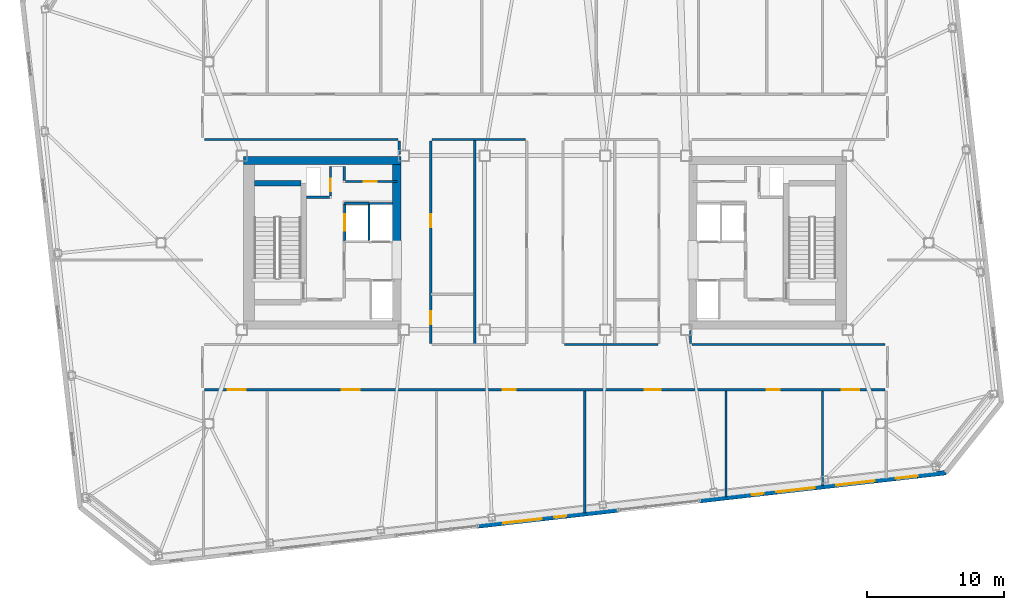
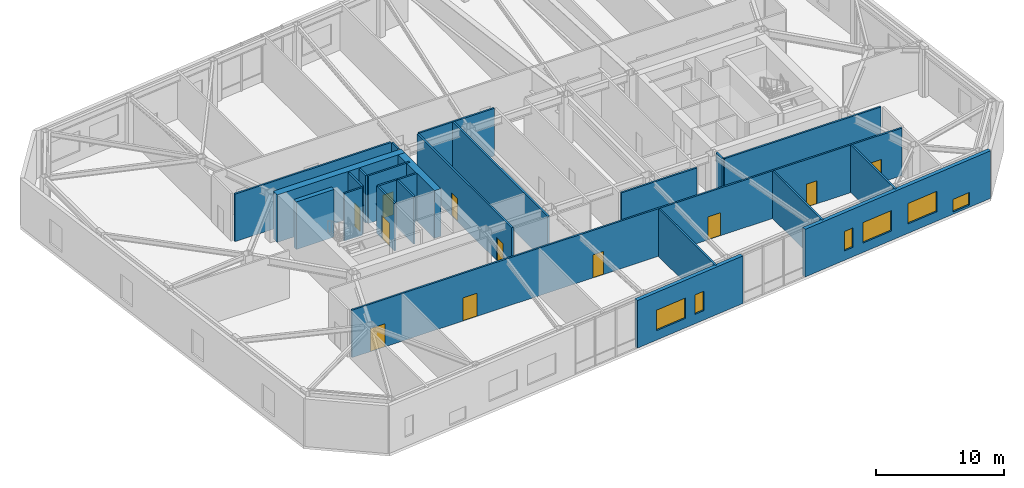
# One storey, part 15 of 21: 25 walls, 11 doors, 6 windows, 17 openings.
"""IFC4 building model written with IfcOpenShell, lengths in metres."""

from ifc_helpers import new_model, si_unit, direction, frame, frame_2d, origin, place, context, subcontext, project, spatial, rectangle, extrude, material, layer, layer_set, type_object, element, fill, save


model = new_model("IFC4")

# Units and contexts
model_context = context("Model", 3, precision=1e-05, world=origin(), true_north=direction((0.0, 1.0)))
body_context = subcontext(model_context, "Body", "Model", "MODEL_VIEW")
ifc_project = project(units=[si_unit("LENGTHUNIT", "METRE"), si_unit("AREAUNIT", "SQUARE_METRE"), si_unit("VOLUMEUNIT", "CUBIC_METRE"), si_unit("PLANEANGLEUNIT", "RADIAN"), si_unit("MASSUNIT", "GRAM", prefix="KILO")], contexts=[model_context])

# Site, building, storey
site_placement = place(None, origin())
site = spatial("IfcSite", under=ifc_project, at=site_placement, CompositionType="ELEMENT")
building_placement = place(site_placement, origin())
building = spatial("IfcBuilding", under=site, at=building_placement, Name="Tavrogorsk Clinical Tower", CompositionType="ELEMENT")
storey_placement = place(building_placement, frame((0.0, 0.0, 238.199951171875)))
storey = spatial("IfcBuildingStorey", under=building, at=storey_placement, Name="L55", CompositionType="ELEMENT", Elevation=238.199951171875)

# Wall, opening, door
ifc_material_1 = material(Name="Lightweight concrete blockwork B15", Category="masonry")
ifc_layer_1 = layer(ifc_material_1, 0.159912109375)
ifc_layer_set_1 = layer_set([ifc_layer_1], Name="Lightweight concrete blockwork B15")
wall_type_1 = type_object("IfcWallType", Name="PartitionWall_160", PredefinedType="PARTITIONING", material=ifc_layer_set_1)
wall_1_placement = place(storey_placement, frame((-14.554931640625, 4.4599609375, 0.0), z_axis=(0.0, 0.0, 1.0), x_axis=(1.0, 0.0, 0.0)))
wall_1 = element("IfcWall", 1, at=wall_1_placement, inside=storey, type_object=wall_type_1, Name="L55 Core West Pneumatic Dispatch South Wall", PredefinedType="PARTITIONING", context=body_context, shape_type="SweptSolid", body=[
    extrude(rectangle(XDim=3.7548828125, YDim=0.159912109375, at=frame_2d((1.87744140625, 0.0))), origin(), (0.0, 0.0, 1.0), 4.5400390625),
])
opening_1_placement = place(wall_1_placement, frame((1.35009765625, 0.0, 0.0)))
opening_1 = element("IfcOpeningElement", 2, at=opening_1_placement, cuts=wall_1, Name="Opening ID-02", PredefinedType="OPENING", context=body_context, shape_type="SweptSolid", body=[
    extrude(rectangle(XDim=0.949951171875, YDim=2.199951171875, at=frame_2d((0.47509765625, 1.10009765625))), frame((0.0, 0.08984375, 0.0), z_axis=(0.0, -1.0, 0.0), x_axis=(1.0, 0.0, 0.0)), (0.0, 0.0, 1.0), 0.179931640625),
])
ifc_material_2 = material(Name="Laminated timber leaf on aluminium frame", Category="wood")
door_type_1 = type_object("IfcDoorType", Name="InteriorDoor_ID02_950", OperationType="NOTDEFINED", PredefinedType="DOOR", material=ifc_material_2)
door_1_placement = place(opening_1_placement, origin())
door_1 = element("IfcDoor", 3, at=door_1_placement, inside=storey, type_object=door_type_1, Name="L55 Core West Pneumatic Dispatch Door", OperationType="SINGLE_SWING_LEFT", OverallHeight=2.199951171875, OverallWidth=0.949951171875, PredefinedType="DOOR", context=body_context, shape_type="SweptSolid", body=[
    extrude(rectangle(XDim=0.949951171875, YDim=2.199951171875, at=frame_2d((0.47509765625, 1.10009765625))), frame((0.0, 0.02490234375, 0.0), z_axis=(0.0, -1.0, 0.0), x_axis=(1.0, 0.0, 0.0)), (0.0, 0.0, 1.0), 0.050048828125),
])
fill(opening_1, door_1)

# Walls
for number, where, z_axis, x_axis, name in (
    (4, (-14.639892578125, 4.544921875, 0.0), (0.0, 0.0, 1.0), (0.0, 1.0, 0.0), "L55 Core West Pneumatic Dispatch East Wall"),
    (5, (-10.6298828125, 6.419921875, 0.0), (0.0, 0.0, 1.0), (0.0, 1.0, 0.0), "L55 Corridor Partition 04"),
):
    element("IfcWall", number, at=place(storey_placement, frame(where, z_axis=z_axis, x_axis=x_axis)), inside=storey, type_object=wall_type_1, Name=name, PredefinedType="PARTITIONING", context=body_context, shape_type="SweptSolid", body=[
        extrude(rectangle(XDim=1.01513671875, YDim=0.159912109375, at=frame_2d((0.507568359375, 0.0))), origin(), (0.0, 0.0, 1.0), 4.5400390625),
    ])
wall_2_placement = place(storey_placement, frame((-10.715087890625, 7.52001953125, 0.0), z_axis=(0.0, 0.0, 1.0), x_axis=(-1.0, 0.0, 0.0)))
element("IfcWall", 6, at=wall_2_placement, inside=storey, type_object=wall_type_1, Name="L55 Corridor Partition 05", PredefinedType="PARTITIONING", context=body_context, shape_type="SweptSolid", body=[
    extrude(rectangle(XDim=14.099853515625, YDim=0.159912109375, at=frame_2d((7.0498046875, 0.0))), origin(), (0.0, 0.0, 1.0), 4.5400390625),
])
wall_3_placement = place(storey_placement, frame((10.6298828125, -6.419921875, 0.0), z_axis=(0.0, 0.0, 1.0), x_axis=(0.0, -1.0, 0.0)))
element("IfcWall", 7, at=wall_3_placement, inside=storey, type_object=wall_type_1, Name="L55 Corridor Partition 11", PredefinedType="PARTITIONING", context=body_context, shape_type="SweptSolid", body=[
    extrude(rectangle(XDim=0.9150390625, YDim=0.159912109375, at=frame_2d((0.45751953125, 0.0))), origin(), (0.0, 0.0, 1.0), 4.5400390625),
])
wall_4_placement = place(storey_placement, frame((10.715087890625, -7.419921875, 0.0), z_axis=(0.0, 0.0, 1.0), x_axis=(1.0, 0.0, 0.0)))
element("IfcWall", 8, at=wall_4_placement, inside=storey, type_object=wall_type_1, Name="L55 Corridor Partition 12", PredefinedType="PARTITIONING", context=body_context, shape_type="SweptSolid", body=[
    extrude(rectangle(XDim=14.099853515625, YDim=0.159912109375, at=frame_2d((7.0498046875, 0.0))), origin(), (0.0, 0.0, 1.0), 4.5400390625),
])

# Wall, openings, doors
wall_5_placement = place(storey_placement, frame((24.81494140625, -10.72998046875, 0.0), z_axis=(0.0, 0.0, 1.0), x_axis=(-1.0, 0.0, 0.0)))
wall_5 = element("IfcWall", 9, at=wall_5_placement, inside=storey, type_object=wall_type_1, Name="L55 Corridor Partition 14", PredefinedType="PARTITIONING", context=body_context, shape_type="SweptSolid", body=[
    extrude(rectangle(XDim=49.6298828125, YDim=0.159912109375, at=frame_2d((24.81494140625, 0.0))), origin(), (0.0, 0.0, 1.0), 4.5400390625),
])
opening_2_placement = place(wall_5_placement, frame((46.630859375, 0.0, 0.0)))
opening_2 = element("IfcOpeningElement", 10, at=opening_2_placement, cuts=wall_5, Name="Opening ID-01", PredefinedType="OPENING", context=body_context, shape_type="SweptSolid", body=[
    extrude(rectangle(XDim=1.300048828125, YDim=2.199951171875, at=frame_2d((0.64990234375, 1.10009765625))), frame((0.0, 0.08984375, 0.0), z_axis=(0.0, -1.0, 0.0), x_axis=(1.0, 0.0, 0.0)), (0.0, 0.0, 1.0), 0.179931640625),
])
opening_3_placement = place(wall_5_placement, frame((38.324951171875, 0.0, 0.0)))
opening_3 = element("IfcOpeningElement", 11, at=opening_3_placement, cuts=wall_5, Name="Opening ID-01", PredefinedType="OPENING", context=body_context, shape_type="SweptSolid", body=[
    extrude(rectangle(XDim=1.300048828125, YDim=2.199951171875, at=frame_2d((0.64990234375, 1.10009765625))), frame((0.0, 0.08984375, 0.0), z_axis=(0.0, -1.0, 0.0), x_axis=(1.0, 0.0, 0.0)), (0.0, 0.0, 1.0), 0.179931640625),
])
opening_4_placement = place(wall_5_placement, frame((26.925048828125, 0.0, 0.0)))
opening_4 = element("IfcOpeningElement", 12, at=opening_4_placement, cuts=wall_5, Name="Opening ID-02", PredefinedType="OPENING", context=body_context, shape_type="SweptSolid", body=[
    extrude(rectangle(XDim=0.949951171875, YDim=2.199951171875, at=frame_2d((0.47509765625, 1.10009765625))), frame((0.0, 0.08984375, 0.0), z_axis=(0.0, -1.0, 0.0), x_axis=(1.0, 0.0, 0.0)), (0.0, 0.0, 1.0), 0.179931640625),
])
opening_5_placement = place(wall_5_placement, frame((16.375, 0.0, 0.0)))
opening_5 = element("IfcOpeningElement", 13, at=opening_5_placement, cuts=wall_5, Name="Opening ID-06", PredefinedType="OPENING", context=body_context, shape_type="SweptSolid", body=[
    extrude(rectangle(XDim=1.14990234375, YDim=2.199951171875, at=frame_2d((0.574951171875, 1.10009765625))), frame((0.0, 0.08984375, 0.0), z_axis=(0.0, -1.0, 0.0), x_axis=(1.0, 0.0, 0.0)), (0.0, 0.0, 1.0), 0.179931640625),
])
opening_6_placement = place(wall_5_placement, frame((7.699951171875, 0.0, 0.0)))
opening_6 = element("IfcOpeningElement", 14, at=opening_6_placement, cuts=wall_5, Name="Opening ID-02", PredefinedType="OPENING", context=body_context, shape_type="SweptSolid", body=[
    extrude(rectangle(XDim=0.949951171875, YDim=2.199951171875, at=frame_2d((0.47509765625, 1.10009765625))), frame((0.0, 0.08984375, 0.0), z_axis=(0.0, -1.0, 0.0), x_axis=(1.0, 0.0, 0.0)), (0.0, 0.0, 1.0), 0.179931640625),
])
opening_7_placement = place(wall_5_placement, frame((1.869140625, 0.0, 0.0)))
opening_7 = element("IfcOpeningElement", 15, at=opening_7_placement, cuts=wall_5, Name="Opening ID-01", PredefinedType="OPENING", context=body_context, shape_type="SweptSolid", body=[
    extrude(rectangle(XDim=1.300048828125, YDim=2.199951171875, at=frame_2d((0.64990234375, 1.10009765625))), frame((0.0, 0.08984375, 0.0), z_axis=(0.0, -1.0, 0.0), x_axis=(1.0, 0.0, 0.0)), (0.0, 0.0, 1.0), 0.179931640625),
])
door_2_placement = place(opening_4_placement, origin())
door_2 = element("IfcDoor", 16, at=door_2_placement, inside=storey, type_object=door_type_1, Name="L55 Sky-Lobby Cafe & Pharmacy Lounge 3 Door", OperationType="SINGLE_SWING_LEFT", OverallHeight=2.199951171875, OverallWidth=0.949951171875, PredefinedType="DOOR", context=body_context, shape_type="SweptSolid", body=[
    extrude(rectangle(XDim=0.949951171875, YDim=2.199951171875, at=frame_2d((0.47509765625, 1.10009765625))), frame((0.0, 0.02490234375, 0.0), z_axis=(0.0, -1.0, 0.0), x_axis=(1.0, 0.0, 0.0)), (0.0, 0.0, 1.0), 0.050048828125),
])
fill(opening_4, door_2)
door_3_placement = place(opening_6_placement, origin())
door_3 = element("IfcDoor", 17, at=door_3_placement, inside=storey, type_object=door_type_1, Name="L55 South Staff Rest & Nourishment Lounge 05 Door", OperationType="SINGLE_SWING_LEFT", OverallHeight=2.199951171875, OverallWidth=0.949951171875, PredefinedType="DOOR", context=body_context, shape_type="SweptSolid", body=[
    extrude(rectangle(XDim=0.949951171875, YDim=2.199951171875, at=frame_2d((0.47509765625, 1.10009765625))), frame((0.0, 0.02490234375, 0.0), z_axis=(0.0, -1.0, 0.0), x_axis=(1.0, 0.0, 0.0)), (0.0, 0.0, 1.0), 0.050048828125),
])
fill(opening_6, door_3)
ifc_material_3 = material(Name="Antibacterial HPL procedure door on aluminium frame", Category="aluminium")
door_type_2 = type_object("IfcDoorType", Name="LabDoor_ID06_1150", OperationType="NOTDEFINED", PredefinedType="DOOR", material=ifc_material_3)
door_4_placement = place(opening_5_placement, origin())
door_4 = element("IfcDoor", 18, at=door_4_placement, inside=storey, type_object=door_type_2, Name="L55 Sky-Lobby Cafe & Pharmacy Lounge 4 Door", OperationType="SINGLE_SWING_RIGHT", OverallHeight=2.199951171875, OverallWidth=1.14990234375, PredefinedType="DOOR", context=body_context, shape_type="SweptSolid", body=[
    extrude(rectangle(XDim=1.14990234375, YDim=2.199951171875, at=frame_2d((0.574951171875, 1.10009765625))), frame((0.0, 0.02490234375, 0.0), z_axis=(0.0, -1.0, 0.0), x_axis=(1.0, 0.0, 0.0)), (0.0, 0.0, 1.0), 0.050048828125),
])
fill(opening_5, door_4)
ifc_material_4 = material(Name="Antibacterial HPL medical leaf on aluminium frame", Category="aluminium")
door_type_3 = type_object("IfcDoorType", Name="WardBedDoor_ID01_1300", OperationType="NOTDEFINED", PredefinedType="DOOR", material=ifc_material_4)
door_5_placement = place(opening_2_placement, origin())
door_5 = element("IfcDoor", 19, at=door_5_placement, inside=storey, type_object=door_type_3, Name="L55 South Bariatric Observation Ward 01 Door", OperationType="SINGLE_SWING_LEFT", OverallHeight=2.199951171875, OverallWidth=1.300048828125, PredefinedType="DOOR", context=body_context, shape_type="SweptSolid", body=[
    extrude(rectangle(XDim=1.300048828125, YDim=2.199951171875, at=frame_2d((0.64990234375, 1.10009765625))), frame((0.0, 0.02490234375, 0.0), z_axis=(0.0, -1.0, 0.0), x_axis=(1.0, 0.0, 0.0)), (0.0, 0.0, 1.0), 0.050048828125),
])
fill(opening_2, door_5)
door_6_placement = place(opening_3_placement, origin())
door_6 = element("IfcDoor", 20, at=door_6_placement, inside=storey, type_object=door_type_3, Name="L55 South Surgical Step-Down Ward 02 Door", OperationType="SINGLE_SWING_RIGHT", OverallHeight=2.199951171875, OverallWidth=1.300048828125, PredefinedType="DOOR", context=body_context, shape_type="SweptSolid", body=[
    extrude(rectangle(XDim=1.300048828125, YDim=2.199951171875, at=frame_2d((0.64990234375, 1.10009765625))), frame((0.0, 0.02490234375, 0.0), z_axis=(0.0, -1.0, 0.0), x_axis=(1.0, 0.0, 0.0)), (0.0, 0.0, 1.0), 0.050048828125),
])
fill(opening_3, door_6)
door_7_placement = place(opening_7_placement, origin())
door_7 = element("IfcDoor", 21, at=door_7_placement, inside=storey, type_object=door_type_3, Name="L55 South Bariatric Observation Ward 06 Door", OperationType="SINGLE_SWING_RIGHT", OverallHeight=2.199951171875, OverallWidth=1.300048828125, PredefinedType="DOOR", context=body_context, shape_type="SweptSolid", body=[
    extrude(rectangle(XDim=1.300048828125, YDim=2.199951171875, at=frame_2d((0.64990234375, 1.10009765625))), frame((0.0, 0.02490234375, 0.0), z_axis=(0.0, -1.0, 0.0), x_axis=(1.0, 0.0, 0.0)), (0.0, 0.0, 1.0), 0.050048828125),
])
fill(opening_7, door_7)

# Walls
for number, where, z_axis, x_axis, name in (
    (22, (1.4150390625, -7.419921875, 0.0), (0.0, 0.0, 1.0), (1.0, 0.0, 0.0), "L55 Corridor Partition 17"),
    (23, (-1.4150390625, 7.52001953125, 0.0), (0.0, 0.0, 1.0), (-1.0, 0.0, 0.0), "L55 Corridor Partition 20"),
):
    element("IfcWall", number, at=place(storey_placement, frame(where, z_axis=z_axis, x_axis=x_axis)), inside=storey, type_object=wall_type_1, Name=name, PredefinedType="PARTITIONING", context=body_context, shape_type="SweptSolid", body=[
        extrude(rectangle(XDim=6.820068359375, YDim=0.159912109375, at=frame_2d((3.41015625, 0.0))), origin(), (0.0, 0.0, 1.0), 4.5400390625),
    ])

# Wall, openings, doors
wall_6_placement = place(storey_placement, frame((-8.320068359375, 7.43505859375, 0.0), z_axis=(0.0, 0.0, 1.0), x_axis=(0.0, -1.0, 0.0)))
wall_6 = element("IfcWall", 24, at=wall_6_placement, inside=storey, type_object=wall_type_1, Name="L55 Corridor Partition 21", PredefinedType="PARTITIONING", context=body_context, shape_type="SweptSolid", body=[
    extrude(rectangle(XDim=14.77001953125, YDim=0.159912109375, at=frame_2d((7.385009765625, 0.0))), origin(), (0.0, 0.0, 1.0), 4.5400390625),
])
opening_8_placement = place(wall_6_placement, frame((12.435791015625, 0.0, 0.0)))
opening_8 = element("IfcOpeningElement", 25, at=opening_8_placement, cuts=wall_6, Name="Opening ID-02", PredefinedType="OPENING", context=body_context, shape_type="SweptSolid", body=[
    extrude(rectangle(XDim=0.949951171875, YDim=2.199951171875, at=frame_2d((0.47509765625, 1.10009765625))), frame((0.0, 0.08984375, 0.0), z_axis=(0.0, -1.0, 0.0), x_axis=(1.0, 0.0, 0.0)), (0.0, 0.0, 1.0), 0.179931640625),
])
opening_9_placement = place(wall_6_placement, frame((5.35400390625, 0.0, 0.0)))
opening_9 = element("IfcOpeningElement", 26, at=opening_9_placement, cuts=wall_6, Name="Opening ID-02", PredefinedType="OPENING", context=body_context, shape_type="SweptSolid", body=[
    extrude(rectangle(XDim=0.949951171875, YDim=2.199951171875, at=frame_2d((0.47509765625, 1.10009765625))), frame((0.0, 0.08984375, 0.0), z_axis=(0.0, -1.0, 0.0), x_axis=(1.0, 0.0, 0.0)), (0.0, 0.0, 1.0), 0.179931640625),
])
door_8_placement = place(opening_8_placement, origin())
door_8 = element("IfcDoor", 27, at=door_8_placement, inside=storey, type_object=door_type_1, Name="L55 Accessible Patient Lavatory Door", OperationType="SINGLE_SWING_LEFT", OverallHeight=2.199951171875, OverallWidth=0.949951171875, PredefinedType="DOOR", context=body_context, shape_type="SweptSolid", body=[
    extrude(rectangle(XDim=0.949951171875, YDim=2.199951171875, at=frame_2d((0.47509765625, 1.10009765625))), frame((0.0, 0.02490234375, 0.0), z_axis=(0.0, -1.0, 0.0), x_axis=(1.0, 0.0, 0.0)), (0.0, 0.0, 1.0), 0.050048828125),
])
fill(opening_8, door_8)
door_9_placement = place(opening_9_placement, origin())
door_9 = element("IfcDoor", 28, at=door_9_placement, inside=storey, type_object=door_type_1, Name="L55 Ward Nourishment Pantry Door", OperationType="SINGLE_SWING_RIGHT", OverallHeight=2.199951171875, OverallWidth=0.949951171875, PredefinedType="DOOR", context=body_context, shape_type="SweptSolid", body=[
    extrude(rectangle(XDim=0.949951171875, YDim=2.199951171875, at=frame_2d((0.47509765625, 1.10009765625))), frame((0.0, 0.02490234375, 0.0), z_axis=(0.0, -1.0, 0.0), x_axis=(1.0, 0.0, 0.0)), (0.0, 0.0, 1.0), 0.050048828125),
])
fill(opening_9, door_9)

# Walls
wall_7_placement = place(storey_placement, frame((2.89990234375, -19.7060546875, 0.0), z_axis=(0.0, 0.0, 1.0), x_axis=(0.0, 1.0, 0.0)))
element("IfcWall", 29, at=wall_7_placement, inside=storey, type_object=wall_type_1, Name="L55 South Room Partition 3", PredefinedType="PARTITIONING", context=body_context, shape_type="SweptSolid", body=[
    extrude(rectangle(XDim=8.89111328125, YDim=0.159912109375, at=frame_2d((4.445556640625, 0.0))), origin(), (0.0, 0.0, 1.0), 4.5400390625),
])
wall_8_placement = place(storey_placement, frame((13.199951171875, -18.532470703125, 0.0), z_axis=(0.0, 0.0, 1.0), x_axis=(0.0, 1.0, 0.0)))
element("IfcWall", 30, at=wall_8_placement, inside=storey, type_object=wall_type_1, Name="L55 South Room Partition 4", PredefinedType="PARTITIONING", context=body_context, shape_type="SweptSolid", body=[
    extrude(rectangle(XDim=7.717529296875, YDim=0.159912109375, at=frame_2d((3.85888671875, 0.0))), origin(), (0.0, 0.0, 1.0), 4.5400390625),
])
wall_9_placement = place(storey_placement, frame((20.25, -17.729248046875, 0.0), z_axis=(0.0, 0.0, 1.0), x_axis=(0.0, 1.0, 0.0)))
element("IfcWall", 31, at=wall_9_placement, inside=storey, type_object=wall_type_1, Name="L55 South Room Partition 5", PredefinedType="PARTITIONING", context=body_context, shape_type="SweptSolid", body=[
    extrude(rectangle(XDim=6.914306640625, YDim=0.159912109375, at=frame_2d((3.45703125, 0.0))), origin(), (0.0, 0.0, 1.0), 4.5400390625),
])
ifc_material_5 = material(Name="Lightweight concrete blockwork B20", Category="masonry")
ifc_layer_2 = layer(ifc_material_5, 0.179931640625)
ifc_layer_set_2 = layer_set([ifc_layer_2], Name="Lightweight concrete blockwork B20")
wall_type_2 = type_object("IfcWallType", Name="PartitionWall_180", PredefinedType="PARTITIONING", material=ifc_layer_set_2)
wall_10_placement = place(storey_placement, frame((-5.10009765625, -7.4150390625, 0.0), z_axis=(0.0, 0.0, 1.0), x_axis=(0.0, 1.0, 0.0)))
element("IfcWall", 32, at=wall_10_placement, inside=storey, type_object=wall_type_2, Name="L55 Central Spine Partition 1", PredefinedType="PARTITIONING", context=body_context, shape_type="SweptSolid", body=[
    extrude(rectangle(XDim=14.929931640625, YDim=0.179931640625, at=frame_2d((7.46484375, 0.0))), origin(), (0.0, 0.0, 1.0), 4.5400390625),
])

# Wall, openings, windows
ifc_material_6 = material(Name="Precast concrete B45 with limestone cladding", Category="masonry")
ifc_layer_3 = layer(ifc_material_6, 0.340087890625)
ifc_layer_set_3 = layer_set([ifc_layer_3], Name="Precast concrete B45 with limestone cladding")
wall_type_3 = type_object("IfcWallType", Name="PrecastLimestoneWall_340", PredefinedType="STANDARD", material=ifc_layer_set_3)
wall_11_placement = place(storey_placement, frame((-4.862060546875, -20.660888671875, 0.0), z_axis=(0.0, 0.0, 1.0), x_axis=(0.993570162731, 0.113218071575, 0.0)))
wall_11 = element("IfcWall", 33, at=wall_11_placement, inside=storey, type_object=wall_type_3, Name="L55 S Limestone Facade Wall 2", PredefinedType="STANDARD", context=body_context, shape_type="SweptSolid", body=[
    extrude(rectangle(XDim=10.249267578125, YDim=0.340087890625, at=frame_2d((5.12451171875, 0.0))), origin(), (0.0, 0.0, 1.0), 4.5400390625),
])
opening_10_placement = place(wall_11_placement, frame((1.850341796875, 0.0, 0.89990234375)))
opening_10 = element("IfcOpeningElement", 34, at=opening_10_placement, cuts=wall_11, Name="Opening WN-14", PredefinedType="OPENING", context=body_context, shape_type="SweptSolid", body=[
    extrude(rectangle(XDim=2.800048828125, YDim=1.949951171875, at=frame_2d((1.39990234375, 0.97509765625))), frame((0.0, 0.179931640625, 0.0), z_axis=(0.0, -1.0, 0.0), x_axis=(1.0, 0.0, 0.0)), (0.0, 0.0, 1.0), 0.360107421875),
])
opening_11_placement = place(wall_11_placement, frame((5.598876953125, 0.0, 0.89990234375)))
opening_11 = element("IfcOpeningElement", 35, at=opening_11_placement, cuts=wall_11, Name="Opening WN-06", PredefinedType="OPENING", context=body_context, shape_type="SweptSolid", body=[
    extrude(rectangle(XDim=0.85009765625, YDim=1.85009765625, at=frame_2d((0.425048828125, 0.925048828125))), frame((0.0, 0.179931640625, 0.0), z_axis=(0.0, -1.0, 0.0), x_axis=(1.0, 0.0, 0.0)), (0.0, 0.0, 1.0), 0.360107421875),
])
ifc_material_7 = material(Name="Thermally broken aluminium frame and triple IGU", Category="aluminium")
window_type_1 = type_object("IfcWindowType", Name="MullionSubWin_850x1850", PartitioningType="SINGLE_PANEL", PredefinedType="WINDOW", material=ifc_material_7)
window_1_placement = place(opening_11_placement, origin())
window_1 = element("IfcWindow", 36, at=window_1_placement, inside=storey, type_object=window_type_1, Name="L55 S Mullion Split Window 06A", OverallHeight=1.85009765625, OverallWidth=0.85009765625, PartitioningType="SINGLE_PANEL", PredefinedType="WINDOW", context=body_context, shape_type="SweptSolid", body=[
    extrude(rectangle(XDim=0.85009765625, YDim=1.85009765625, at=frame_2d((0.425048828125, 0.925048828125))), frame((0.0, 0.030029296875, 0.0), z_axis=(0.0, -1.0, 0.0), x_axis=(1.0, 0.0, 0.0)), (0.0, 0.0, 1.0), 0.06005859375),
])
fill(opening_11, window_1)
ifc_material_8 = material(Name="Thermally broken aluminium frame and triple IGU", Category="aluminium")
window_type_2 = type_object("IfcWindowType", Name="SeminarWin_2800x1950", PartitioningType="TRIPLE_PANEL_HORIZONTAL", PredefinedType="WINDOW", material=ifc_material_8)
window_2_placement = place(opening_10_placement, origin())
window_2 = element("IfcWindow", 37, at=window_2_placement, inside=storey, type_object=window_type_2, Name="L55 S Chicago Window 05", OverallHeight=1.949951171875, OverallWidth=2.800048828125, PartitioningType="SINGLE_PANEL", PredefinedType="WINDOW", context=body_context, shape_type="SweptSolid", body=[
    extrude(rectangle(XDim=2.800048828125, YDim=1.949951171875, at=frame_2d((1.39990234375, 0.97509765625))), frame((0.0, 0.030029296875, 0.0), z_axis=(0.0, -1.0, 0.0), x_axis=(1.0, 0.0, 0.0)), (0.0, 0.0, 1.0), 0.06005859375),
])
fill(opening_10, window_2)

wall_12_placement = place(storey_placement, frame((11.33056640625, -18.81591796875, 0.0), z_axis=(0.0, 0.0, 1.0), x_axis=(0.993571681878, 0.113204739165, 0.0)))
wall_12 = element("IfcWall", 38, at=wall_12_placement, inside=storey, type_object=wall_type_3, Name="L55 S Limestone Facade Wall 3", PredefinedType="STANDARD", context=body_context, shape_type="SweptSolid", body=[
    extrude(rectangle(XDim=18.02734375, YDim=0.340087890625, at=frame_2d((9.013671875, 0.0))), origin(), (0.0, 0.0, 1.0), 4.5400390625),
])
opening_12_placement = place(wall_12_placement, frame((3.80029296875, 0.0, 0.89990234375)))
opening_12 = element("IfcOpeningElement", 39, at=opening_12_placement, cuts=wall_12, Name="Opening WN-06", PredefinedType="OPENING", context=body_context, shape_type="SweptSolid", body=[
    extrude(rectangle(XDim=0.85009765625, YDim=1.85009765625, at=frame_2d((0.425048828125, 0.925048828125))), frame((0.0, 0.179931640625, 0.0), z_axis=(0.0, -1.0, 0.0), x_axis=(1.0, 0.0, 0.0)), (0.0, 0.0, 1.0), 0.360107421875),
])
opening_13_placement = place(wall_12_placement, frame((5.5986328125, 0.0, 0.89990234375)))
opening_13 = element("IfcOpeningElement", 40, at=opening_13_placement, cuts=wall_12, Name="Opening WN-14", PredefinedType="OPENING", context=body_context, shape_type="SweptSolid", body=[
    extrude(rectangle(XDim=2.800048828125, YDim=1.949951171875, at=frame_2d((1.39990234375, 0.97509765625))), frame((0.0, 0.179931640625, 0.0), z_axis=(0.0, -1.0, 0.0), x_axis=(1.0, 0.0, 0.0)), (0.0, 0.0, 1.0), 0.360107421875),
])
opening_14_placement = place(wall_12_placement, frame((9.998779296875, 0.0, 0.89990234375)))
opening_14 = element("IfcOpeningElement", 41, at=opening_14_placement, cuts=wall_12, Name="Opening WN-14", PredefinedType="OPENING", context=body_context, shape_type="SweptSolid", body=[
    extrude(rectangle(XDim=2.800048828125, YDim=1.949951171875, at=frame_2d((1.39990234375, 0.97509765625))), frame((0.0, 0.179931640625, 0.0), z_axis=(0.0, -1.0, 0.0), x_axis=(1.0, 0.0, 0.0)), (0.0, 0.0, 1.0), 0.360107421875),
])
opening_15_placement = place(wall_12_placement, frame((14.34716796875, 0.0, 0.219970703125)))
opening_15 = element("IfcOpeningElement", 42, at=opening_15_placement, cuts=wall_12, Name="Opening WN-09", PredefinedType="OPENING", context=body_context, shape_type="SweptSolid", body=[
    extrude(rectangle(XDim=1.60009765625, YDim=1.199951171875, at=frame_2d((0.800048828125, 0.60009765625))), frame((0.0, 0.179931640625, 0.0), z_axis=(0.0, -1.0, 0.0), x_axis=(1.0, 0.0, 0.0)), (0.0, 0.0, 1.0), 0.360107421875),
])
ifc_material_9 = material(Name="Thermally broken aluminium frame and triple IGU", Category="aluminium")
window_type_3 = type_object("IfcWindowType", Name="LowHeadTransWin_1600x1200", PartitioningType="DOUBLE_PANEL_VERTICAL", PredefinedType="WINDOW", material=ifc_material_9)
window_3_placement = place(opening_15_placement, origin())
window_3 = element("IfcWindow", 43, at=window_3_placement, inside=storey, type_object=window_type_3, Name="L55 S Chicago Window 10", OverallHeight=1.199951171875, OverallWidth=1.60009765625, PartitioningType="SINGLE_PANEL", PredefinedType="WINDOW", context=body_context, shape_type="SweptSolid", body=[
    extrude(rectangle(XDim=1.60009765625, YDim=1.199951171875, at=frame_2d((0.800048828125, 0.60009765625))), frame((0.0, 0.030029296875, 0.0), z_axis=(0.0, -1.0, 0.0), x_axis=(1.0, 0.0, 0.0)), (0.0, 0.0, 1.0), 0.06005859375),
])
fill(opening_15, window_3)
window_4_placement = place(opening_12_placement, origin())
window_4 = element("IfcWindow", 44, at=window_4_placement, inside=storey, type_object=window_type_1, Name="L55 S Mullion Split Window 07B", OverallHeight=1.85009765625, OverallWidth=0.85009765625, PartitioningType="SINGLE_PANEL", PredefinedType="WINDOW", context=body_context, shape_type="SweptSolid", body=[
    extrude(rectangle(XDim=0.85009765625, YDim=1.85009765625, at=frame_2d((0.425048828125, 0.925048828125))), frame((0.0, 0.030029296875, 0.0), z_axis=(0.0, -1.0, 0.0), x_axis=(1.0, 0.0, 0.0)), (0.0, 0.0, 1.0), 0.06005859375),
])
fill(opening_12, window_4)
window_5_placement = place(opening_13_placement, origin())
window_5 = element("IfcWindow", 45, at=window_5_placement, inside=storey, type_object=window_type_2, Name="L55 S Chicago Window 08", OverallHeight=1.949951171875, OverallWidth=2.800048828125, PartitioningType="SINGLE_PANEL", PredefinedType="WINDOW", context=body_context, shape_type="SweptSolid", body=[
    extrude(rectangle(XDim=2.800048828125, YDim=1.949951171875, at=frame_2d((1.39990234375, 0.97509765625))), frame((0.0, 0.030029296875, 0.0), z_axis=(0.0, -1.0, 0.0), x_axis=(1.0, 0.0, 0.0)), (0.0, 0.0, 1.0), 0.06005859375),
])
fill(opening_13, window_5)
window_6_placement = place(opening_14_placement, origin())
window_6 = element("IfcWindow", 46, at=window_6_placement, inside=storey, type_object=window_type_2, Name="L55 S Chicago Window 09", OverallHeight=1.949951171875, OverallWidth=2.800048828125, PartitioningType="SINGLE_PANEL", PredefinedType="WINDOW", context=body_context, shape_type="SweptSolid", body=[
    extrude(rectangle(XDim=2.800048828125, YDim=1.949951171875, at=frame_2d((1.39990234375, 0.97509765625))), frame((0.0, 0.030029296875, 0.0), z_axis=(0.0, -1.0, 0.0), x_axis=(1.0, 0.0, 0.0)), (0.0, 0.0, 1.0), 0.06005859375),
])
fill(opening_14, window_6)

# Wall, opening, door
ifc_material_10 = material(Name="Lightweight concrete blockwork B25", Category="masonry")
ifc_layer_4 = layer(ifc_material_10, 0.159912109375)
ifc_layer_set_4 = layer_set([ifc_layer_4], Name="Lightweight concrete blockwork B25")
wall_type_4 = type_object("IfcWallType", Name="ShaftWall_160", PredefinedType="PARTITIONING", material=ifc_layer_set_4)
wall_13_placement = place(storey_placement, frame((-14.60009765625, 0.1201171875, 0.0), z_axis=(0.0, 0.0, 1.0), x_axis=(0.0, 1.0, 0.0)))
wall_13 = element("IfcWall", 47, at=wall_13_placement, inside=storey, type_object=wall_type_4, Name="L55 FFL-W Firefighting Lift Front Wall", PredefinedType="PARTITIONING", context=body_context, shape_type="SweptSolid", body=[
    extrude(rectangle(XDim=2.739990234375, YDim=0.159912109375, at=frame_2d((1.3701171875, 0.0))), origin(), (0.0, 0.0, 1.0), 4.5400390625),
])
opening_16_placement = place(wall_13_placement, frame((0.77001953125, 0.0, 0.0)))
opening_16 = element("IfcOpeningElement", 48, at=opening_16_placement, cuts=wall_13, Name="Opening LD", PredefinedType="OPENING", context=body_context, shape_type="SweptSolid", body=[
    extrude(rectangle(XDim=1.199951171875, YDim=2.199951171875, at=frame_2d((0.60009765625, 1.10009765625))), frame((0.0, 0.08984375, 0.0), z_axis=(0.0, -1.0, 0.0), x_axis=(1.0, 0.0, 0.0)), (0.0, 0.0, 1.0), 0.179931640625),
])
ifc_material_11 = material(Name="Brushed stainless steel AISI 304 sliding doors", Category="steel")
door_type_4 = type_object("IfcDoorType", Name="LiftLandingDoor_LD_1200", OperationType="SLIDING_TO_LEFT", PredefinedType="DOOR", material=ifc_material_11)
door_10_placement = place(opening_16_placement, origin())
door_10 = element("IfcDoor", 49, at=door_10_placement, inside=storey, type_object=door_type_4, Name="L55 FFL-W Sliding Lift Landing Door", OperationType="SLIDING_TO_LEFT", OverallHeight=2.199951171875, OverallWidth=1.199951171875, PredefinedType="DOOR", context=body_context, shape_type="SweptSolid", body=[
    extrude(rectangle(XDim=1.199951171875, YDim=2.199951171875, at=frame_2d((0.60009765625, 1.10009765625))), frame((0.0, 0.02490234375, 0.0), z_axis=(0.0, -1.0, 0.0), x_axis=(1.0, 0.0, 0.0)), (0.0, 0.0, 1.0), 0.050048828125),
])
fill(opening_16, door_10)

# Walls
wall_14_placement = place(storey_placement, frame((-14.60009765625, 2.8798828125, 0.0), z_axis=(0.0, 0.0, 1.0), x_axis=(1.0, 0.0, 0.0)))
element("IfcWall", 50, at=wall_14_placement, inside=storey, type_object=wall_type_4, Name="L55 FFL-W Shaft North Wall", PredefinedType="PARTITIONING", context=body_context, shape_type="SweptSolid", body=[
    extrude(rectangle(XDim=1.760009765625, YDim=0.159912109375, at=frame_2d((0.8798828125, 0.0))), origin(), (0.0, 0.0, 1.0), 4.5400390625),
])
wall_15_placement = place(storey_placement, frame((-12.840087890625, 0.179931640625, 0.0), z_axis=(0.0, 0.0, 1.0), x_axis=(0.0, 1.0, 0.0)))
element("IfcWall", 51, at=wall_15_placement, inside=storey, type_object=wall_type_4, Name="L55 FFL-W Shaft Back Wall", PredefinedType="PARTITIONING", context=body_context, shape_type="SweptSolid", body=[
    extrude(rectangle(XDim=2.6201171875, YDim=0.159912109375, at=frame_2d((1.31005859375, 0.0))), origin(), (0.0, 0.0, 1.0), 4.5400390625),
])
wall_16_placement = place(storey_placement, frame((-12.820068359375, 2.860107421875, 0.0), z_axis=(0.0, 0.0, 1.0), x_axis=(1.0, 0.0, 0.0)))
element("IfcWall", 52, at=wall_16_placement, inside=storey, type_object=wall_type_4, Name="L55 LP-H1 High-Zone Lift Rear Wall", PredefinedType="PARTITIONING", context=body_context, shape_type="SweptSolid", body=[
    extrude(rectangle(XDim=1.719970703125, YDim=0.159912109375, at=frame_2d((0.85986328125, 0.0))), origin(), (0.0, 0.0, 1.0), 4.5400390625),
])

# Wall, opening, door
wall_17_placement = place(storey_placement, frame((-15.639892578125, 3.405029296875, 0.0), z_axis=(0.0, 0.0, 1.0), x_axis=(0.0, 1.0, 0.0)))
wall_17 = element("IfcWall", 53, at=wall_17_placement, inside=storey, type_object=wall_type_4, Name="L55 Core West Riser West Wall", PredefinedType="PARTITIONING", context=body_context, shape_type="SweptSolid", body=[
    extrude(rectangle(XDim=2.155029296875, YDim=0.159912109375, at=frame_2d((1.07763671875, 0.0))), origin(), (0.0, 0.0, 1.0), 4.5400390625),
])
opening_17_placement = place(wall_17_placement, frame((0.35009765625, 0.0, 0.0)))
opening_17 = element("IfcOpeningElement", 54, at=opening_17_placement, cuts=wall_17, Name="Opening FD-02", PredefinedType="OPENING", context=body_context, shape_type="SweptSolid", body=[
    extrude(rectangle(XDim=0.89990234375, YDim=2.199951171875, at=frame_2d((0.449951171875, 1.10009765625))), frame((0.0, 0.08984375, 0.0), z_axis=(0.0, -1.0, 0.0), x_axis=(1.0, 0.0, 0.0)), (0.0, 0.0, 1.0), 0.179931640625),
])
ifc_material_12 = material(Name="Galvanised steel fire-rated door assembly", Category="steel")
door_type_5 = type_object("IfcDoorType", Name="FireDoor_FD02_900", OperationType="NOTDEFINED", PredefinedType="DOOR", material=ifc_material_12)
door_11_placement = place(opening_17_placement, origin())
door_11 = element("IfcDoor", 55, at=door_11_placement, inside=storey, type_object=door_type_5, Name="L55 Core West Electrical Riser Access Door", OperationType="SINGLE_SWING_LEFT", OverallHeight=2.199951171875, OverallWidth=0.89990234375, PredefinedType="DOOR", context=body_context, shape_type="SweptSolid", body=[
    extrude(rectangle(XDim=0.89990234375, YDim=2.199951171875, at=frame_2d((0.449951171875, 1.10009765625))), frame((0.0, 0.02490234375, 0.0), z_axis=(0.0, -1.0, 0.0), x_axis=(1.0, 0.0, 0.0)), (0.0, 0.0, 1.0), 0.050048828125),
])
fill(opening_17, door_11)

# Walls
wall_18_placement = place(storey_placement, frame((-17.3798828125, 3.320068359375, 0.0), z_axis=(0.0, 0.0, 1.0), x_axis=(1.0, 0.0, 0.0)))
element("IfcWall", 56, at=wall_18_placement, inside=storey, type_object=wall_type_4, Name="L55 Core West Riser South Wall", PredefinedType="PARTITIONING", context=body_context, shape_type="SweptSolid", body=[
    extrude(rectangle(XDim=1.65478515625, YDim=0.159912109375, at=frame_2d((0.827392578125, 0.0))), origin(), (0.0, 0.0, 1.0), 4.5400390625),
])
ifc_material_13 = material(Name="Concrete B80", Category="concrete")
ifc_layer_5 = layer(ifc_material_13, 0.39990234375)
ifc_layer_set_5 = layer_set([ifc_layer_5], Name="Concrete B80")
wall_type_5 = type_object("IfcWallType", Name="ShearWall_400", PredefinedType="SHEAR", material=ifc_layer_set_5)
wall_19_placement = place(storey_placement, frame((-21.199951171875, 4.324951171875, 0.0), z_axis=(0.0, 0.0, 1.0), x_axis=(1.0, 0.0, 0.0)))
element("IfcWall", 57, at=wall_19_placement, inside=storey, type_object=wall_type_5, Name="L55 Core West Stair Shaft North Shear Wall", PredefinedType="SHEAR", context=body_context, shape_type="SweptSolid", body=[
    extrude(rectangle(XDim=3.39990234375, YDim=0.39990234375, at=frame_2d((1.699951171875, 0.0))), origin(), (0.0, 0.0, 1.0), 4.5400390625),
])
ifc_material_14 = material(Name="Concrete B80", Category="concrete")
ifc_layer_6 = layer(ifc_material_14, 0.60009765625)
ifc_layer_set_6 = layer_set([ifc_layer_6], Name="Concrete B80")
wall_type_6 = type_object("IfcWallType", Name="ShearWall_600", PredefinedType="SHEAR", material=ifc_layer_set_6)
wall_20_placement = place(storey_placement, frame((-22.0, 6.0, 0.0), z_axis=(0.0, 0.0, 1.0), x_axis=(1.0, 0.0, 0.0)))
element("IfcWall", 58, at=wall_20_placement, inside=storey, type_object=wall_type_6, Name="L55 Core West North Shear Wall", PredefinedType="SHEAR", context=body_context, shape_type="SweptSolid", body=[
    extrude(rectangle(XDim=11.5, YDim=0.60009765625, at=frame_2d((5.75, 0.0))), origin(), (0.0, 0.0, 1.0), 4.5400390625),
])
wall_21_placement = place(storey_placement, frame((-10.800048828125, 0.050048828125, 0.0), z_axis=(0.0, 0.0, 1.0), x_axis=(0.0, 1.0, 0.0)))
element("IfcWall", 59, at=wall_21_placement, inside=storey, type_object=wall_type_6, Name="L55 Core West Inner North Pier", PredefinedType="SHEAR", context=body_context, shape_type="SweptSolid", body=[
    extrude(rectangle(XDim=5.64990234375, YDim=0.60009765625, at=frame_2d((2.824951171875, 0.0))), origin(), (0.0, 0.0, 1.0), 4.5400390625),
])

save(model, "model.ifc")
